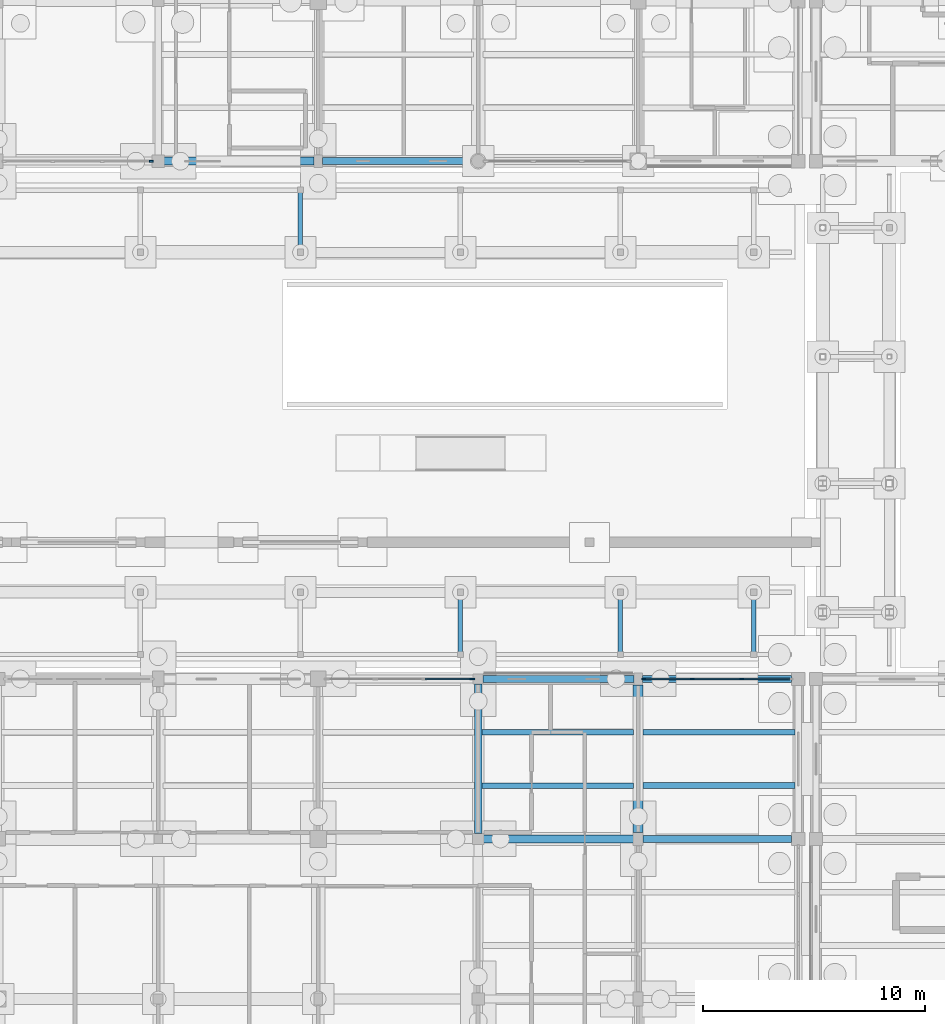
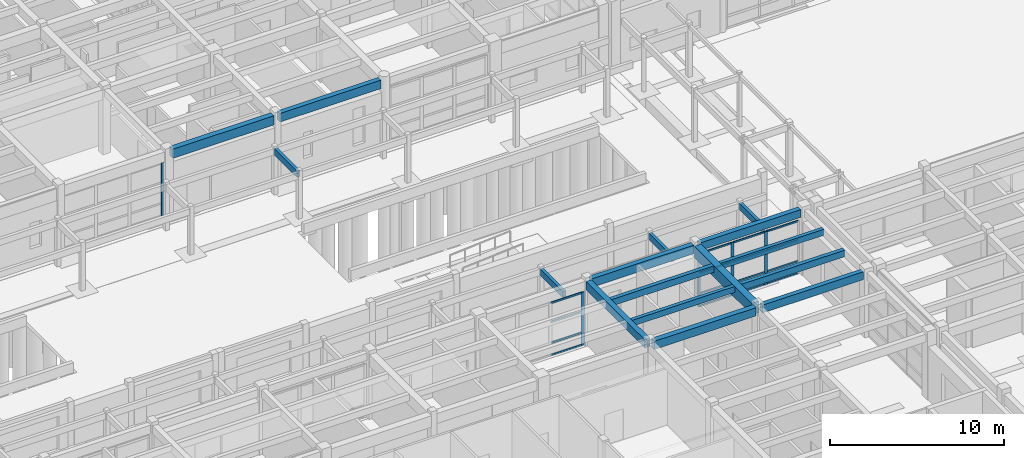
# One storey, part 53 of 143: 21 members, 16 beams, 3 elements without a shape of their own.
"""IFC4 building model written with IfcOpenShell, lengths in metres."""

import ifcopenshell
import ifcopenshell.guid

model = None  # the IFC model being written
_history = None  # IfcOwnerHistory: only IFC2X3 demands one
_inside = {}  # id of a spatial element -> (the spatial element, [elements in it])
_under = {}  # id of a project, library or spatial element -> (it, [spatial elements below it])
_declared = {}  # id of a project -> (the project, [libraries it declares])
_typed = {}  # id of a type object -> (the type object, [elements of that type])
_made_of = {}  # id of a material, layer set ... -> (it, [elements and type objects made of it])


def new_model(schema):
    """Start an empty IFC model of exactly this schema.

    Asked for "IFC4X3", IfcOpenShell would pick the latest addendum, in which some entities
    have other attributes; the version numbers below select the first issue.
    IFC2X3 requires an IfcOwnerHistory on every rooted entity: one is made here for all.
    """
    global model, _history
    if schema == "IFC4X3":
        model = ifcopenshell.file(schema_version=(4, 3, 0, 0))
    else:
        model = ifcopenshell.file(schema=schema)
    _inside.clear()
    _under.clear()
    _declared.clear()
    _typed.clear()
    _made_of.clear()
    _history = None
    if model.schema == "IFC2X3":
        org = make("IfcOrganization", Name="unknown")
        user = make(
            "IfcPersonAndOrganization",
            ThePerson=make("IfcPerson", FamilyName="unknown"),
            TheOrganization=org,
        )
        app = make(
            "IfcApplication",
            ApplicationDeveloper=org,
            Version="unknown",
            ApplicationFullName="unknown",
            ApplicationIdentifier="unknown",
        )
        _history = make(
            "IfcOwnerHistory",
            OwningUser=user,
            OwningApplication=app,
            ChangeAction="ADDED",
            CreationDate=0,
        )
    return model


def make(cls, **values):
    """One entity of the class cls with the attributes given. An attribute that is None is left unset."""
    return model.create_entity(
        cls, **{name: value for name, value in values.items() if value is not None}
    )


def rooted(cls, **values):
    """An entity with a GlobalId (a new one), such as an element, a storey or a relation."""
    return make(cls, GlobalId=ifcopenshell.guid.new(), OwnerHistory=_history, **values)


def si_unit(unit_type, name, prefix=None):
    """IfcSIUnit, for example si_unit("LENGTHUNIT", "METRE", prefix="MILLI")."""
    return make("IfcSIUnit", UnitType=unit_type, Prefix=prefix, Name=name)


def assignment(units):
    """IfcUnitAssignment: the units of a project."""
    return None if units is None else make("IfcUnitAssignment", Units=units)


def point(xyz):
    """IfcCartesianPoint."""
    return None if xyz is None else make("IfcCartesianPoint", Coordinates=xyz)


def direction(xyz):
    """IfcDirection."""
    return None if xyz is None else make("IfcDirection", DirectionRatios=xyz)


def frame(location, z_axis=None, x_axis=None):
    """IfcAxis2Placement3D, a coordinate frame: its origin and axes. An axis left out is left unset."""
    return make(
        "IfcAxis2Placement3D",
        Location=point(location),
        Axis=direction(z_axis),
        RefDirection=direction(x_axis),
    )


def frame_2d(location, x_axis=None):
    """IfcAxis2Placement2D, a coordinate frame in the plane: its origin and x axis."""
    return make(
        "IfcAxis2Placement2D", Location=point(location), RefDirection=direction(x_axis)
    )


def origin():
    """The frame at (0, 0, 0) with its axes left unset."""
    return frame((0.0, 0.0, 0.0))


def origin_2d():
    """The frame at (0, 0) in the plane with its x axis left unset."""
    return frame_2d((0.0, 0.0))


def place(relative_to, where):
    """IfcLocalPlacement: puts the frame where relative to a parent placement (None: the world)."""
    return make(
        "IfcLocalPlacement", PlacementRelTo=relative_to, RelativePlacement=where
    )


def context(
    kind, dimensions, precision=None, world=None, true_north=None, identifier=None
):
    """IfcGeometricRepresentationContext, for example the 3D "Model" context."""
    return make(
        "IfcGeometricRepresentationContext",
        ContextIdentifier=identifier,
        ContextType=kind,
        CoordinateSpaceDimension=dimensions,
        Precision=precision,
        WorldCoordinateSystem=world,
        TrueNorth=true_north,
    )


def subcontext(parent, identifier, kind, view, scale=None):
    """IfcGeometricRepresentationSubContext, for example "Body" below "Model"."""
    return make(
        "IfcGeometricRepresentationSubContext",
        ContextIdentifier=identifier,
        ContextType=kind,
        ParentContext=parent,
        TargetScale=scale,
        TargetView=view,
    )


def project(units=None, contexts=None):
    """IfcProject with its units and contexts."""
    return rooted(
        "IfcProject",
        Name="project",
        RepresentationContexts=contexts,
        UnitsInContext=assignment(units),
    )


def spatial(cls, under=None, at=None, **own):
    """A site, building, storey or space (cls), placed at a placement, below another one or the project."""
    s = rooted(cls, ObjectPlacement=at, **own)
    if under is not None:
        _under.setdefault(under.id(), (under, []))[1].append(s)
    return s


def profile(cls, at=None, kind="AREA", **sizes):
    """A parametric profile (cls). Its sizes go by their IFC names, for example OverallWidth=200.0."""
    return make(cls, ProfileType=kind, Position=at, **sizes)


def rectangle(**sizes):
    """IfcRectangleProfileDef."""
    return profile("IfcRectangleProfileDef", **sizes)


def extrude(swept, where, along, depth):
    """IfcExtrudedAreaSolid: the profile swept, set in the frame where, extruded along a direction by depth."""
    return make(
        "IfcExtrudedAreaSolid",
        SweptArea=swept,
        Position=where,
        ExtrudedDirection=direction(along),
        Depth=depth,
    )


def shape(context_of_items, identifier, shape_type, items):
    """IfcShapeRepresentation: the items that make up one representation, for example the "Body"."""
    return make(
        "IfcShapeRepresentation",
        ContextOfItems=context_of_items,
        RepresentationIdentifier=identifier,
        RepresentationType=shape_type,
        Items=items,
    )


def material(Name=None, Category=None):
    """IfcMaterial."""
    return make("IfcMaterial", Name=Name, Category=Category)


def material_profile(
    of_material, cross_section, Name=None, Category=None, Priority=None
):
    """IfcMaterialProfile: a cross section and its material."""
    return make(
        "IfcMaterialProfile",
        Name=Name,
        Material=of_material,
        Profile=cross_section,
        Priority=Priority,
        Category=Category,
    )


def profile_set(profiles, Name=None, composite=None):
    """IfcMaterialProfileSet."""
    return make(
        "IfcMaterialProfileSet",
        Name=Name,
        MaterialProfiles=profiles,
        CompositeProfile=composite,
    )


def made_of(thing, what):
    """Note that an element or type object is made of a material, layer set ...; save() writes the relation."""
    if what is not None:
        _made_of.setdefault(what.id(), (what, []))[1].append(thing)
    return thing


def type_object(cls, material=None, **own):
    """A type object (cls), such as IfcWallType, which elements share."""
    return made_of(rooted(cls, **own), material)


def element(
    cls,
    number,
    at=None,
    inside=None,
    cuts=None,
    type_object=None,
    material=None,
    context=None,
    identifier="Body",
    shape_type=None,
    held_by="IfcProductDefinitionShape",
    body=None,
    shapes=None,
    **own,
):
    """One element of the class cls, such as IfcWall. Its Tag is "e" and its number.

    at: its placement. inside: the storey or other place that contains it. cuts: it is an
    opening in that element (IfcRelVoidsElement). A single representation is given by context,
    identifier, shape_type and body (its items); several are given by shapes. held_by: the class
    of the entity that holds the representations. save() writes the other relations.
    """
    e = rooted(cls, Tag="e%d" % number, ObjectPlacement=at, **own)
    if body is not None:
        shapes = [shape(context, identifier, shape_type, body)]
    if shapes is not None:
        e.Representation = make(held_by, Representations=shapes)
    if inside is not None:
        _inside.setdefault(inside.id(), (inside, []))[1].append(e)
    if cuts is not None:
        rooted(
            "IfcRelVoidsElement", RelatingBuildingElement=cuts, RelatedOpeningElement=e
        )
    if type_object is not None:
        _typed.setdefault(type_object.id(), (type_object, []))[1].append(e)
    return made_of(e, material)


def aggregate(whole, parts):
    """IfcRelAggregates: a whole, such as a stair, and the parts it consists of."""
    return rooted("IfcRelAggregates", RelatingObject=whole, RelatedObjects=parts)


def save(model, path):
    """Write the relations noted so far, then the file.

    IfcRelAggregates (storeys below a building ...), IfcRelContainedInSpatialStructure (elements
    in a storey), IfcRelDefinesByType, IfcRelAssociatesMaterial and IfcRelDeclares: one each for
    every whole, place, type object, material and project.
    """
    for whole, parts in _under.values():
        aggregate(whole, parts)
    for where, things in _inside.values():
        rooted(
            "IfcRelContainedInSpatialStructure",
            RelatedElements=things,
            RelatingStructure=where,
        )
    for kind, things in _typed.values():
        rooted("IfcRelDefinesByType", RelatedObjects=things, RelatingType=kind)
    for what, things in _made_of.values():
        rooted("IfcRelAssociatesMaterial", RelatedObjects=things, RelatingMaterial=what)
    for by, libraries in _declared.values():
        rooted("IfcRelDeclares", RelatingContext=by, RelatedDefinitions=libraries)
    model.write(path)


model = new_model("IFC4")

# Units and contexts
model_context = context("Model", 3, precision=1e-05, world=origin(), true_north=direction((0.0, 1.0)))
body_context = subcontext(model_context, "Body", "Model", "MODEL_VIEW")
ifc_project = project(units=[si_unit("LENGTHUNIT", "METRE"), si_unit("AREAUNIT", "SQUARE_METRE"), si_unit("VOLUMEUNIT", "CUBIC_METRE"), si_unit("PLANEANGLEUNIT", "RADIAN"), si_unit("MASSUNIT", "GRAM", prefix="KILO")], contexts=[model_context])

# Site, building, storey
site_placement = place(None, origin())
site = spatial("IfcSite", under=ifc_project, at=site_placement, CompositionType="ELEMENT")
building_placement = place(site_placement, origin())
building = spatial("IfcBuilding", under=site, at=building_placement, Name="Steenspoor Specialist Clinic", CompositionType="ELEMENT")
storey_placement = place(building_placement, origin())
storey = spatial("IfcBuildingStorey", under=building, at=storey_placement, Name="L00", CompositionType="ELEMENT", Elevation=0.0)

# Beams
ifc_material_1 = material(Name="Glulam GL28h", Category="wood")
ifc_material_profile_1 = material_profile(ifc_material_1, rectangle(XDim=0.199951171875, YDim=0.43994140625, at=origin_2d()), Name="GL28H-200X440")
ifc_profile_set_1 = profile_set([ifc_material_profile_1], Name="Glulam GL28h")
beam_type_1 = type_object("IfcBeamType", Name="BM-GL-200X440", PredefinedType="BEAM", material=ifc_profile_set_1)
beam_1_placement = place(storey_placement, frame((94.800048828125, 61.1298828125, 3.014892578125), z_axis=(0.0, 1.0, 0.0), x_axis=(-1.0, 0.0, 0.0)))
element("IfcBeam", 1, at=beam_1_placement, inside=storey, type_object=beam_type_1, Name="BM-WK4-T-948", PredefinedType="BEAM", context=body_context, shape_type="SweptSolid", body=[
    extrude(rectangle(XDim=0.199951171875, YDim=0.43994140625, at=origin_2d()), origin(), (0.0, 0.0, 1.0), 2.64013671875),
])
for number, where, z_axis, x_axis, name in (
    (2, (102.0, 43.030029296875, 3.014892578125), (0.0, 1.0, 0.0), (-1.0, 0.0, 0.0), "BM-WK5-T-1020"),
    (3, (109.199951171875, 43.030029296875, 3.014892578125), (0.0, 1.0, 0.0), (-1.0, 0.0, 0.0), "BM-WK5-T-1092"),
    (4, (115.199951171875, 43.030029296875, 3.014892578125), (0.0, 1.0, 0.0), (-1.0, 0.0, 0.0), "BM-WK5-T-1152"),
):
    element("IfcBeam", number, at=place(storey_placement, frame(where, z_axis=z_axis, x_axis=x_axis)), inside=storey, type_object=beam_type_1, Name=name, PredefinedType="BEAM", context=body_context, shape_type="SweptSolid", body=[
        extrude(rectangle(XDim=0.199951171875, YDim=0.43994140625, at=origin_2d()), origin(), (0.0, 0.0, 1.0), 2.639892578125),
    ])
ifc_material_2 = material(Name="Concrete C35/45", Category="concrete")
ifc_material_profile_2 = material_profile(ifc_material_2, rectangle(XDim=0.300048828125, YDim=0.550048828125, at=origin_2d()), Name="RC-BM-300X550")
ifc_profile_set_2 = profile_set([ifc_material_profile_2], Name="Concrete C35/45")
beam_type_2 = type_object("IfcBeamType", Name="BM-RC-300X550", PredefinedType="BEAM", material=ifc_profile_set_2)
beam_2_placement = place(storey_placement, frame((110.219970703125, 34.64990234375, 4.27490234375), z_axis=(1.0, 0.0, 0.0), x_axis=(0.0, 1.0, 0.0)))
element("IfcBeam", 5, at=beam_2_placement, inside=storey, type_object=beam_type_2, Name="BM-V1-L00-X0029", PredefinedType="BEAM", context=body_context, shape_type="SweptSolid", body=[
    extrude(rectangle(XDim=0.300048828125, YDim=0.550048828125, at=origin_2d()), origin(), (0.0, 0.0, 1.0), 6.68505859375),
])
ifc_material_profile_3 = material_profile(ifc_material_2, rectangle(XDim=0.35009765625, YDim=0.580078125, at=origin_2d()), Name="RC-BM-350X580")
ifc_profile_set_3 = profile_set([ifc_material_profile_3], Name="Concrete C35/45")
beam_type_3 = type_object("IfcBeamType", Name="BM-RC-350X580", PredefinedType="BEAM", material=ifc_profile_set_3)
beam_3_placement = place(storey_placement, frame((103.044921875, 34.64990234375, 4.260009765625), z_axis=(1.0, 0.0, 0.0), x_axis=(0.0, 1.0, 0.0)))
element("IfcBeam", 6, at=beam_3_placement, inside=storey, type_object=beam_type_3, Name="BM-V1-L00-X0028", PredefinedType="BEAM", context=body_context, shape_type="SweptSolid", body=[
    extrude(rectangle(XDim=0.35009765625, YDim=0.580078125, at=origin_2d()), origin(), (0.0, 0.0, 1.0), 6.735107421875),
])
beam_4_placement = place(storey_placement, frame((102.800048828125, 34.89501953125, 4.260009765625), z_axis=(0.0, 1.0, 0.0), x_axis=(-1.0, 0.0, 0.0)))
element("IfcBeam", 7, at=beam_4_placement, inside=storey, type_object=beam_type_3, Name="BM-V1-L00-Y0063", PredefinedType="BEAM", context=body_context, shape_type="SweptSolid", body=[
    extrude(rectangle(XDim=0.35009765625, YDim=0.580078125, at=origin_2d()), origin(), (0.0, 0.0, 1.0), 6.73486328125),
])
ifc_material_profile_4 = material_profile(ifc_material_2, rectangle(XDim=0.449951171875, YDim=0.800048828125, at=origin_2d()), Name="RC-BM-450X800")
ifc_profile_set_4 = profile_set([ifc_material_profile_4], Name="Concrete C35/45")
beam_type_4 = type_object("IfcBeamType", Name="BM-RC-450X800", PredefinedType="BEAM", material=ifc_profile_set_4)
beam_5_placement = place(storey_placement, frame((110.0, 34.945068359375, 4.14990234375), z_axis=(0.0, 1.0, 0.0), x_axis=(-1.0, 0.0, 0.0)))
element("IfcBeam", 8, at=beam_5_placement, inside=storey, type_object=beam_type_4, Name="BM-V1-L00-Y0067", PredefinedType="BEAM", context=body_context, shape_type="SweptSolid", body=[
    extrude(rectangle(XDim=0.449951171875, YDim=0.800048828125, at=origin_2d()), origin(), (0.0, 0.0, 1.0), 6.635009765625),
])

# Curtain wall, members
ifc_material_3 = material(Name="Thermally broken aluminium and low-emissivity glass", Category="aluminium")
curtain_wall_type_1 = type_object("IfcCurtainWallType", Name="CW-TYP-420X355", PredefinedType="USERDEFINED", material=ifc_material_3)
curtain_wall_1_placement = place(storey_placement, origin())
curtain_wall_1 = element("IfcCurtainWall", 9, at=curtain_wall_1_placement, inside=storey, type_object=curtain_wall_type_1, Name="Unitised Curtain Wall CW-V1-L00-013", ObjectType="UNITISED GLAZING", PredefinedType="USERDEFINED")
ifc_material_4 = material(Name="Thermally broken aluminium 6063-T6", Category="aluminium")
ifc_material_profile_5 = material_profile(ifc_material_4, rectangle(XDim=0.080078125, YDim=0.179931640625, at=origin_2d()), Name="CWM-80X180")
ifc_profile_set_5 = profile_set([ifc_material_profile_5], Name="Thermally broken aluminium 6063-T6")
member_type_1 = type_object("IfcMemberType", Name="CW-MULL-80X180", PredefinedType="MULLION", material=ifc_profile_set_5)
member_1_placement = place(storey_placement, frame((110.239990234375, 41.85009765625, 0.0), z_axis=(0.0, 0.0, 1.0), x_axis=(0.0, 1.0, 0.0)))
member_1 = element("IfcMember", 10, at=member_1_placement, type_object=member_type_1, Name="CW-13 mullion 1", PredefinedType="MULLION", context=body_context, shape_type="SweptSolid", body=[
    extrude(rectangle(XDim=0.080078125, YDim=0.179931640625, at=origin_2d()), origin(), (0.0, 0.0, 1.0), 3.72998046875),
])
member_2_placement = place(storey_placement, frame((112.433349609375, 41.85009765625, 0.0), z_axis=(0.0, 0.0, 1.0), x_axis=(0.0, 1.0, 0.0)))
member_2 = element("IfcMember", 11, at=member_2_placement, type_object=member_type_1, Name="CW-13 mullion 2", PredefinedType="MULLION", context=body_context, shape_type="SweptSolid", body=[
    extrude(rectangle(XDim=0.080078125, YDim=0.179931640625, at=origin_2d()), origin(), (0.0, 0.0, 1.0), 3.72998046875),
])
member_3_placement = place(storey_placement, frame((114.666748046875, 41.85009765625, 0.0), z_axis=(0.0, 0.0, 1.0), x_axis=(0.0, 1.0, 0.0)))
member_3 = element("IfcMember", 12, at=member_3_placement, type_object=member_type_1, Name="CW-13 mullion 3", PredefinedType="MULLION", context=body_context, shape_type="SweptSolid", body=[
    extrude(rectangle(XDim=0.080078125, YDim=0.179931640625, at=origin_2d()), origin(), (0.0, 0.0, 1.0), 3.72998046875),
])

# Curtain wall, member
curtain_wall_type_2 = type_object("IfcCurtainWallType", Name="CW-SCR-360X320", PredefinedType="USERDEFINED", material=ifc_material_3)
curtain_wall_2_placement = place(storey_placement, origin())
curtain_wall_2 = element("IfcCurtainWall", 13, at=curtain_wall_2_placement, inside=storey, type_object=curtain_wall_type_2, Name="Unitised Curtain Wall CW-V4-L00-043", ObjectType="UNITISED GLAZING", PredefinedType="USERDEFINED")
member_4_placement = place(storey_placement, frame((88.0849609375, 65.14990234375, 0.0), z_axis=(0.0, 0.0, 1.0), x_axis=(0.0, -1.0, 0.0)))
member_4 = element("IfcMember", 14, at=member_4_placement, type_object=member_type_1, Name="CW-19 mullion 1", PredefinedType="MULLION", context=body_context, shape_type="SweptSolid", body=[
    extrude(rectangle(XDim=0.080078125, YDim=0.179931640625, at=origin_2d()), origin(), (0.0, 0.0, 1.0), 3.72998046875),
])
aggregate(curtain_wall_2, [member_4])

curtain_wall_type_3 = type_object("IfcCurtainWallType", Name="CW-TYP-480X355", PredefinedType="USERDEFINED", material=ifc_material_3)
curtain_wall_3_placement = place(storey_placement, origin())
curtain_wall_3 = element("IfcCurtainWall", 15, at=curtain_wall_3_placement, inside=storey, type_object=curtain_wall_type_3, Name="Unitised Curtain Wall CW-V1-L00-012", ObjectType="UNITISED GLAZING", PredefinedType="USERDEFINED")
ifc_material_profile_6 = material_profile(ifc_material_4, rectangle(XDim=0.080078125, YDim=0.219970703125, at=origin_2d()), Name="CWM-80X220")
ifc_profile_set_6 = profile_set([ifc_material_profile_6], Name="Thermally broken aluminium 6063-T6")
member_type_2 = type_object("IfcMemberType", Name="CW-MULL-80X220", PredefinedType="MULLION", material=ifc_profile_set_6)
member_5_placement = place(storey_placement, frame((102.534912109375, 41.85009765625, 0.0), z_axis=(0.0, 0.0, 1.0), x_axis=(0.0, 1.0, 0.0)))
member_5 = element("IfcMember", 16, at=member_5_placement, type_object=member_type_2, Name="CW-12 mullion 4", PredefinedType="MULLION", context=body_context, shape_type="SweptSolid", body=[
    extrude(rectangle(XDim=0.080078125, YDim=0.219970703125, at=origin_2d()), origin(), (0.0, 0.0, 1.0), 3.72998046875),
])

# Member
ifc_material_profile_7 = material_profile(ifc_material_4, rectangle(XDim=0.06005859375, YDim=0.114990234375, at=origin_2d()), Name="CWT-60X115")
ifc_profile_set_7 = profile_set([ifc_material_profile_7], Name="Thermally broken aluminium 6063-T6")
member_type_3 = type_object("IfcMemberType", Name="CW-TRAN-60X115", PredefinedType="USERDEFINED", material=ifc_profile_set_7)
member_6_placement = place(storey_placement, frame((110.280029296875, 41.85009765625, 0.030029296875), z_axis=(1.0, 0.0, 0.0), x_axis=(0.0, 1.0, 0.0)))
member_6 = element("IfcMember", 17, at=member_6_placement, type_object=member_type_3, Name="CW-13 transom 1.1", ObjectType="TRANSOM", PredefinedType="USERDEFINED", context=body_context, shape_type="SweptSolid", body=[
    extrude(rectangle(XDim=0.06005859375, YDim=0.114990234375, at=origin_2d()), origin(), (0.0, 0.0, 1.0), 2.11328125),
])

member_7_placement = place(storey_placement, frame((110.280029296875, 41.85009765625, 0.89990234375), z_axis=(1.0, 0.0, 0.0), x_axis=(0.0, 1.0, 0.0)))
member_7 = element("IfcMember", 18, at=member_7_placement, type_object=member_type_3, Name="CW-13 transom 1.2", ObjectType="TRANSOM", PredefinedType="USERDEFINED", context=body_context, shape_type="SweptSolid", body=[
    extrude(rectangle(XDim=0.06005859375, YDim=0.114990234375, at=origin_2d()), origin(), (0.0, 0.0, 1.0), 2.11328125),
])

member_8_placement = place(storey_placement, frame((110.280029296875, 41.85009765625, 2.35009765625), z_axis=(1.0, 0.0, 0.0), x_axis=(0.0, 1.0, 0.0)))
member_8 = element("IfcMember", 19, at=member_8_placement, type_object=member_type_3, Name="CW-13 transom 1.3", ObjectType="TRANSOM", PredefinedType="USERDEFINED", context=body_context, shape_type="SweptSolid", body=[
    extrude(rectangle(XDim=0.06005859375, YDim=0.114990234375, at=origin_2d()), origin(), (0.0, 0.0, 1.0), 2.11328125),
])

member_9_placement = place(storey_placement, frame((110.280029296875, 41.85009765625, 3.699951171875), z_axis=(1.0, 0.0, 0.0), x_axis=(0.0, 1.0, 0.0)))
member_9 = element("IfcMember", 20, at=member_9_placement, type_object=member_type_3, Name="CW-13 transom 1.4", ObjectType="TRANSOM", PredefinedType="USERDEFINED", context=body_context, shape_type="SweptSolid", body=[
    extrude(rectangle(XDim=0.06005859375, YDim=0.114990234375, at=origin_2d()), origin(), (0.0, 0.0, 1.0), 2.11328125),
])

member_10_placement = place(storey_placement, frame((112.473388671875, 41.85009765625, 0.030029296875), z_axis=(1.0, 0.0, 0.0), x_axis=(0.0, 1.0, 0.0)))
member_10 = element("IfcMember", 21, at=member_10_placement, type_object=member_type_3, Name="CW-13 transom 2.1", ObjectType="TRANSOM", PredefinedType="USERDEFINED", context=body_context, shape_type="SweptSolid", body=[
    extrude(rectangle(XDim=0.06005859375, YDim=0.114990234375, at=origin_2d()), origin(), (0.0, 0.0, 1.0), 2.1533203125),
])

member_11_placement = place(storey_placement, frame((112.473388671875, 41.85009765625, 0.89990234375), z_axis=(1.0, 0.0, 0.0), x_axis=(0.0, 1.0, 0.0)))
member_11 = element("IfcMember", 22, at=member_11_placement, type_object=member_type_3, Name="CW-13 transom 2.2", ObjectType="TRANSOM", PredefinedType="USERDEFINED", context=body_context, shape_type="SweptSolid", body=[
    extrude(rectangle(XDim=0.06005859375, YDim=0.114990234375, at=origin_2d()), origin(), (0.0, 0.0, 1.0), 2.1533203125),
])

member_12_placement = place(storey_placement, frame((112.473388671875, 41.85009765625, 2.35009765625), z_axis=(1.0, 0.0, 0.0), x_axis=(0.0, 1.0, 0.0)))
member_12 = element("IfcMember", 23, at=member_12_placement, type_object=member_type_3, Name="CW-13 transom 2.3", ObjectType="TRANSOM", PredefinedType="USERDEFINED", context=body_context, shape_type="SweptSolid", body=[
    extrude(rectangle(XDim=0.06005859375, YDim=0.114990234375, at=origin_2d()), origin(), (0.0, 0.0, 1.0), 2.1533203125),
])

member_13_placement = place(storey_placement, frame((112.473388671875, 41.85009765625, 3.699951171875), z_axis=(1.0, 0.0, 0.0), x_axis=(0.0, 1.0, 0.0)))
member_13 = element("IfcMember", 24, at=member_13_placement, type_object=member_type_3, Name="CW-13 transom 2.4", ObjectType="TRANSOM", PredefinedType="USERDEFINED", context=body_context, shape_type="SweptSolid", body=[
    extrude(rectangle(XDim=0.06005859375, YDim=0.114990234375, at=origin_2d()), origin(), (0.0, 0.0, 1.0), 2.1533203125),
])

member_14_placement = place(storey_placement, frame((114.706787109375, 41.85009765625, 0.030029296875), z_axis=(1.0, 0.0, 0.0), x_axis=(0.0, 1.0, 0.0)))
member_14 = element("IfcMember", 25, at=member_14_placement, type_object=member_type_3, Name="CW-13 transom 3.1", ObjectType="TRANSOM", PredefinedType="USERDEFINED", context=body_context, shape_type="SweptSolid", body=[
    extrude(rectangle(XDim=0.06005859375, YDim=0.114990234375, at=origin_2d()), origin(), (0.0, 0.0, 1.0), 2.11328125),
])

member_15_placement = place(storey_placement, frame((114.706787109375, 41.85009765625, 0.89990234375), z_axis=(1.0, 0.0, 0.0), x_axis=(0.0, 1.0, 0.0)))
member_15 = element("IfcMember", 26, at=member_15_placement, type_object=member_type_3, Name="CW-13 transom 3.2", ObjectType="TRANSOM", PredefinedType="USERDEFINED", context=body_context, shape_type="SweptSolid", body=[
    extrude(rectangle(XDim=0.06005859375, YDim=0.114990234375, at=origin_2d()), origin(), (0.0, 0.0, 1.0), 2.11328125),
])

member_16_placement = place(storey_placement, frame((114.706787109375, 41.85009765625, 2.35009765625), z_axis=(1.0, 0.0, 0.0), x_axis=(0.0, 1.0, 0.0)))
member_16 = element("IfcMember", 27, at=member_16_placement, type_object=member_type_3, Name="CW-13 transom 3.3", ObjectType="TRANSOM", PredefinedType="USERDEFINED", context=body_context, shape_type="SweptSolid", body=[
    extrude(rectangle(XDim=0.06005859375, YDim=0.114990234375, at=origin_2d()), origin(), (0.0, 0.0, 1.0), 2.11328125),
])

member_17_placement = place(storey_placement, frame((114.706787109375, 41.85009765625, 3.699951171875), z_axis=(1.0, 0.0, 0.0), x_axis=(0.0, 1.0, 0.0)))
member_17 = element("IfcMember", 28, at=member_17_placement, type_object=member_type_3, Name="CW-13 transom 3.4", ObjectType="TRANSOM", PredefinedType="USERDEFINED", context=body_context, shape_type="SweptSolid", body=[
    extrude(rectangle(XDim=0.06005859375, YDim=0.114990234375, at=origin_2d()), origin(), (0.0, 0.0, 1.0), 2.11328125),
])

aggregate(curtain_wall_1, [member_1, member_2, member_3, member_6, member_7, member_8, member_9, member_10, member_11, member_12, member_13, member_14, member_15, member_16, member_17])

ifc_material_profile_8 = material_profile(ifc_material_4, rectangle(XDim=0.06494140625, YDim=0.1298828125, at=origin_2d()), Name="CWT-65X130")
ifc_profile_set_8 = profile_set([ifc_material_profile_8], Name="Thermally broken aluminium 6063-T6")
member_type_4 = type_object("IfcMemberType", Name="CW-TRAN-65X130", PredefinedType="USERDEFINED", material=ifc_profile_set_8)
member_18_placement = place(storey_placement, frame((100.40673828125, 41.85009765625, 0.032470703125), z_axis=(1.0, 0.0, 0.0), x_axis=(0.0, 1.0, 0.0)))
member_18 = element("IfcMember", 29, at=member_18_placement, type_object=member_type_4, Name="CW-12 transom 3.1", ObjectType="TRANSOM", PredefinedType="USERDEFINED", context=body_context, shape_type="SweptSolid", body=[
    extrude(rectangle(XDim=0.06494140625, YDim=0.1298828125, at=origin_2d()), origin(), (0.0, 0.0, 1.0), 2.08837890625),
])

member_19_placement = place(storey_placement, frame((100.40673828125, 41.85009765625, 0.89990234375), z_axis=(1.0, 0.0, 0.0), x_axis=(0.0, 1.0, 0.0)))
member_19 = element("IfcMember", 30, at=member_19_placement, type_object=member_type_4, Name="CW-12 transom 3.2", ObjectType="TRANSOM", PredefinedType="USERDEFINED", context=body_context, shape_type="SweptSolid", body=[
    extrude(rectangle(XDim=0.06494140625, YDim=0.1298828125, at=origin_2d()), origin(), (0.0, 0.0, 1.0), 2.08837890625),
])

member_20_placement = place(storey_placement, frame((100.40673828125, 41.85009765625, 2.35009765625), z_axis=(1.0, 0.0, 0.0), x_axis=(0.0, 1.0, 0.0)))
member_20 = element("IfcMember", 31, at=member_20_placement, type_object=member_type_4, Name="CW-12 transom 3.3", ObjectType="TRANSOM", PredefinedType="USERDEFINED", context=body_context, shape_type="SweptSolid", body=[
    extrude(rectangle(XDim=0.06494140625, YDim=0.1298828125, at=origin_2d()), origin(), (0.0, 0.0, 1.0), 2.08837890625),
])

member_21_placement = place(storey_placement, frame((100.40673828125, 41.85009765625, 3.697509765625), z_axis=(1.0, 0.0, 0.0), x_axis=(0.0, 1.0, 0.0)))
member_21 = element("IfcMember", 32, at=member_21_placement, type_object=member_type_4, Name="CW-12 transom 3.4", ObjectType="TRANSOM", PredefinedType="USERDEFINED", context=body_context, shape_type="SweptSolid", body=[
    extrude(rectangle(XDim=0.06494140625, YDim=0.1298828125, at=origin_2d()), origin(), (0.0, 0.0, 1.0), 2.08837890625),
])

aggregate(curtain_wall_3, [member_5, member_18, member_19, member_20, member_21])

# Beams
ifc_material_profile_9 = material_profile(ifc_material_2, rectangle(XDim=0.239990234375, YDim=0.419921875, at=origin_2d()), Name="RC-JT-240X420")
ifc_profile_set_9 = profile_set([ifc_material_profile_9], Name="Concrete C35/45")
beam_type_5 = type_object("IfcBeamType", Name="JT-RC-240X420", PredefinedType="JOIST", material=ifc_profile_set_9)
beam_6_placement = place(storey_placement, frame((102.969970703125, 37.050048828125, 4.340087890625), z_axis=(1.0, 0.0, 0.0), x_axis=(0.0, 1.0, 0.0)))
element("IfcBeam", 33, at=beam_6_placement, inside=storey, type_object=beam_type_5, Name="JT-V1-L00-0109", PredefinedType="JOIST", context=body_context, shape_type="SweptSolid", body=[
    extrude(rectangle(XDim=0.239990234375, YDim=0.419921875, at=origin_2d()), origin(), (0.0, 0.0, 1.0), 6.81005859375),
])
beam_7_placement = place(storey_placement, frame((110.219970703125, 39.449951171875, 4.340087890625), z_axis=(1.0, 0.0, 0.0), x_axis=(0.0, 1.0, 0.0)))
element("IfcBeam", 34, at=beam_7_placement, inside=storey, type_object=beam_type_5, Name="JT-V1-L00-0114", PredefinedType="JOIST", context=body_context, shape_type="SweptSolid", body=[
    extrude(rectangle(XDim=0.239990234375, YDim=0.419921875, at=origin_2d()), origin(), (0.0, 0.0, 1.0), 6.844970703125),
])
ifc_material_profile_10 = material_profile(ifc_material_2, rectangle(XDim=0.260009765625, YDim=0.4599609375, at=origin_2d()), Name="RC-JT-260X460")
ifc_profile_set_10 = profile_set([ifc_material_profile_10], Name="Concrete C35/45")
beam_type_6 = type_object("IfcBeamType", Name="JT-RC-260X460", PredefinedType="JOIST", material=ifc_profile_set_10)
beam_8_placement = place(storey_placement, frame((102.969970703125, 39.449951171875, 4.320068359375), z_axis=(1.0, 0.0, 0.0), x_axis=(0.0, 1.0, 0.0)))
element("IfcBeam", 35, at=beam_8_placement, inside=storey, type_object=beam_type_6, Name="JT-V1-L00-0110", PredefinedType="JOIST", context=body_context, shape_type="SweptSolid", body=[
    extrude(rectangle(XDim=0.260009765625, YDim=0.4599609375, at=origin_2d()), origin(), (0.0, 0.0, 1.0), 6.81005859375),
])
beam_9_placement = place(storey_placement, frame((110.219970703125, 37.050048828125, 4.320068359375), z_axis=(1.0, 0.0, 0.0), x_axis=(0.0, 1.0, 0.0)))
element("IfcBeam", 36, at=beam_9_placement, inside=storey, type_object=beam_type_6, Name="JT-V1-L00-0113", PredefinedType="JOIST", context=body_context, shape_type="SweptSolid", body=[
    extrude(rectangle(XDim=0.260009765625, YDim=0.4599609375, at=origin_2d()), origin(), (0.0, 0.0, 1.0), 6.844970703125),
])
ifc_material_profile_11 = material_profile(ifc_material_2, rectangle(XDim=0.320068359375, YDim=0.5400390625, at=origin_2d()), Name="RC-SP-320X540")
ifc_profile_set_11 = profile_set([ifc_material_profile_11], Name="Concrete C35/45")
beam_type_7 = type_object("IfcBeamType", Name="SP-RC-320X540", PredefinedType="SPANDREL", material=ifc_profile_set_11)
beam_10_placement = place(storey_placement, frame((110.195068359375, 41.85009765625, 4.280029296875), z_axis=(1.0, 0.0, 0.0), x_axis=(0.0, 1.0, 0.0)))
element("IfcBeam", 37, at=beam_10_placement, inside=storey, type_object=beam_type_7, Name="BM-V1-L00-X0039", PredefinedType="SPANDREL", context=body_context, shape_type="SweptSolid", body=[
    extrude(rectangle(XDim=0.320068359375, YDim=0.5400390625, at=origin_2d()), origin(), (0.0, 0.0, 1.0), 6.7099609375),
])
ifc_material_profile_12 = material_profile(ifc_material_2, rectangle(XDim=0.320068359375, YDim=0.60009765625, at=origin_2d()), Name="RC-SP-320X600")
ifc_profile_set_12 = profile_set([ifc_material_profile_12], Name="Concrete C35/45")
beam_type_8 = type_object("IfcBeamType", Name="SP-RC-320X600", PredefinedType="SPANDREL", material=ifc_profile_set_12)
beam_11_placement = place(storey_placement, frame((103.02001953125, 41.85009765625, 4.25), z_axis=(1.0, 0.0, 0.0), x_axis=(0.0, 1.0, 0.0)))
element("IfcBeam", 38, at=beam_11_placement, inside=storey, type_object=beam_type_8, Name="BM-V1-L00-X0038", PredefinedType="SPANDREL", context=body_context, shape_type="SweptSolid", body=[
    extrude(rectangle(XDim=0.320068359375, YDim=0.60009765625, at=origin_2d()), origin(), (0.0, 0.0, 1.0), 6.784912109375),
])
beam_12_placement = place(storey_placement, frame((95.794921875, 65.14990234375, 4.25), z_axis=(1.0, 0.0, 0.0), x_axis=(0.0, 1.0, 0.0)))
element("IfcBeam", 39, at=beam_12_placement, inside=storey, type_object=beam_type_8, Name="BM-V4-L00-X0292", PredefinedType="SPANDREL", context=body_context, shape_type="SweptSolid", body=[
    extrude(rectangle(XDim=0.320068359375, YDim=0.60009765625, at=origin_2d()), origin(), (0.0, 0.0, 1.0), 6.7099609375),
])
ifc_material_profile_13 = material_profile(ifc_material_2, rectangle(XDim=0.360107421875, YDim=0.639892578125, at=origin_2d()), Name="RC-SP-360X640")
ifc_profile_set_13 = profile_set([ifc_material_profile_13], Name="Concrete C35/45")
beam_type_9 = type_object("IfcBeamType", Name="SP-RC-360X640", PredefinedType="SPANDREL", material=ifc_profile_set_13)
beam_13_placement = place(storey_placement, frame((88.669921875, 65.14990234375, 4.22998046875), z_axis=(1.0, 0.0, 0.0), x_axis=(0.0, 1.0, 0.0)))
element("IfcBeam", 40, at=beam_13_placement, inside=storey, type_object=beam_type_9, Name="BM-V4-L00-X0291", PredefinedType="SPANDREL", context=body_context, shape_type="SweptSolid", body=[
    extrude(rectangle(XDim=0.360107421875, YDim=0.639892578125, at=origin_2d()), origin(), (0.0, 0.0, 1.0), 6.735107421875),
])

save(model, "model.ifc")
